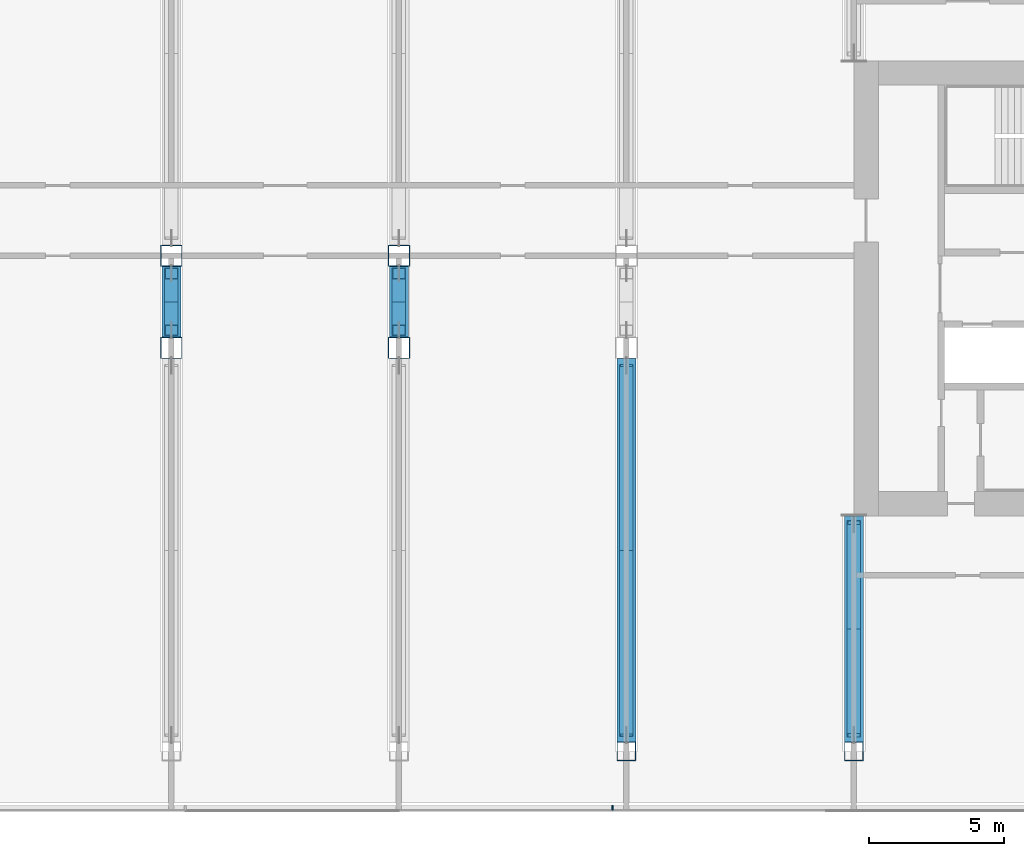
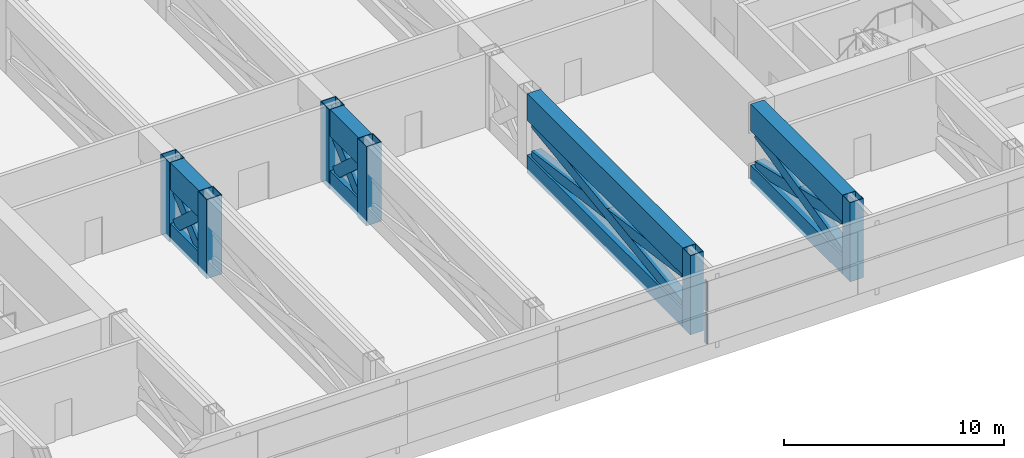
# One storey, part 6 of 33: 24 members, 1 element without a shape of its own.
"""IFC4 building model written with IfcOpenShell, lengths in metres."""

from ifc_helpers import new_model, si_unit, direction, frame, origin, origin_2d, place, context, subcontext, project, spatial, rectangle, hollow_rectangle, extrude, material, layer, layer_set, material_profile, profile_set, type_object, element, aggregate, save


model = new_model("IFC4")

# Units and contexts
model_context = context("Model", 3, precision=1e-05, world=origin(), true_north=direction((0.0, 1.0)))
body_context = subcontext(model_context, "Body", "Model", "MODEL_VIEW")
ifc_project = project(units=[si_unit("LENGTHUNIT", "METRE"), si_unit("AREAUNIT", "SQUARE_METRE"), si_unit("VOLUMEUNIT", "CUBIC_METRE"), si_unit("PLANEANGLEUNIT", "RADIAN"), si_unit("MASSUNIT", "GRAM", prefix="KILO")], contexts=[model_context])

# Site, building, storey
site_placement = place(None, origin())
site = spatial("IfcSite", under=ifc_project, at=site_placement, CompositionType="ELEMENT")
building_placement = place(site_placement, origin())
building = spatial("IfcBuilding", under=site, at=building_placement, Name="Hakoniwa Tower and Hamabe Station Hall", CompositionType="ELEMENT")
storey_placement = place(building_placement, frame((0.0, 0.0, 175.800048828125)))
storey = spatial("IfcBuildingStorey", under=building, at=storey_placement, Name="L50", CompositionType="ELEMENT", Elevation=175.800048828125)

# Curtain wall, members
ifc_material_1 = material(Name="Dark low-e laminated glass", Category="glass")
ifc_layer = layer(ifc_material_1, 0.199951171875)
ifc_layer_set = layer_set([ifc_layer], Name="CW-6 PLANT LOUVRE")
curtain_wall_type = type_object("IfcCurtainWallType", Name="CW-6 PLANT LOUVRE", PredefinedType="NOTDEFINED", material=ifc_layer_set)
curtain_wall_placement = place(storey_placement, origin())
curtain_wall = element("IfcCurtainWall", 1, at=curtain_wall_placement, inside=storey, type_object=curtain_wall_type, Name="CW-6 curtain wall", PredefinedType="NOTDEFINED")
ifc_material_2 = material(Name="Aluminium 6063-T5 black anodised", Category="aluminium")
ifc_material_profile_1 = material_profile(ifc_material_2, rectangle(XDim=0.06005859375, YDim=0.179931640625, at=origin_2d()), Name="CW-1 MULLION 60X180")
ifc_profile_set_1 = profile_set([ifc_material_profile_1], Name="Aluminium 6063-T5 black anodised")
member_type_1 = type_object("IfcMemberType", Name="CW-1 MULLION 60X180", PredefinedType="MULLION", material=ifc_profile_set_1)
member_1_placement = place(storey_placement, frame((7.887939453125, -19.181884765625, 0.349853515625), z_axis=(0.0, 0.0, 1.0), x_axis=(1.0, 0.0, 0.0)))
member_1 = element("IfcMember", 2, at=member_1_placement, type_object=member_type_1, Name="CW-6 mullion", PredefinedType="MULLION", context=body_context, shape_type="SweptSolid", body=[
    extrude(rectangle(XDim=0.06005859375, YDim=0.179931640625, at=origin_2d()), origin(), (0.0, 0.0, 1.0), 1.690185546875),
])
member_2_placement = place(storey_placement, frame((7.887939453125, -19.181884765625, 2.159912109375), z_axis=(0.0, 0.0, 1.0), x_axis=(1.0, 0.0, 0.0)))
member_2 = element("IfcMember", 3, at=member_2_placement, type_object=member_type_1, Name="CW-6 mullion", PredefinedType="MULLION", context=body_context, shape_type="SweptSolid", body=[
    extrude(rectangle(XDim=0.06005859375, YDim=0.179931640625, at=origin_2d()), origin(), (0.0, 0.0, 1.0), 1.68994140625),
])
aggregate(curtain_wall, [member_1, member_2])

# Members
ifc_material_3 = material(Name="Steel SN490C", Category="steel")
ifc_material_profile_2 = material_profile(ifc_material_3, hollow_rectangle(XDim=0.699951171875, YDim=1.0, WallThickness=0.0400390625, at=origin_2d()), Name="BX-1000x700x40")
ifc_profile_set_2 = profile_set([ifc_material_profile_2], Name="Steel SN490C")
member_type_2 = type_object("IfcMemberType", Name="TRUSS CHORD BX-1000x700x40", PredefinedType="CHORD", material=ifc_profile_set_2)
for number, where, z_axis, x_axis, name in (
    (4, (-8.39990234375, -1.800048828125, 0.199951171875), (0.0, 1.0, 0.0), (-1.0, 0.0, 0.0), "Truss T3-11-BC02"),
    (5, (0.0, -1.800048828125, 0.199951171875), (0.0, 1.0, 0.0), (-1.0, 0.0, 0.0), "Truss T3-12-BC02"),
):
    element("IfcMember", number, at=place(storey_placement, frame(where, z_axis=z_axis, x_axis=x_axis)), inside=storey, type_object=member_type_2, Name=name, PredefinedType="CHORD", context=body_context, shape_type="SweptSolid", body=[
        extrude(hollow_rectangle(XDim=0.699951171875, YDim=1.0, WallThickness=0.0400390625, at=origin_2d()), origin(), (0.0, 0.0, 1.0), 2.60009765625),
    ])
member_3_placement = place(storey_placement, frame((8.39990234375, -16.75, 0.199951171875), z_axis=(0.0, 1.0, 0.0), x_axis=(-1.0, 0.0, 0.0)))
element("IfcMember", 6, at=member_3_placement, inside=storey, type_object=member_type_2, Name="Truss T3-13-BC01", PredefinedType="CHORD", context=body_context, shape_type="SweptSolid", body=[
    extrude(hollow_rectangle(XDim=0.699951171875, YDim=1.0, WallThickness=0.0400390625, at=origin_2d()), origin(), (0.0, 0.0, 1.0), 14.14990234375),
])
member_4_placement = place(storey_placement, frame((16.800048828125, -16.75, 0.199951171875), z_axis=(0.0, 1.0, 0.0), x_axis=(-1.0, 0.0, 0.0)))
element("IfcMember", 7, at=member_4_placement, inside=storey, type_object=member_type_2, Name="Truss T3-14-BC01", PredefinedType="CHORD", context=body_context, shape_type="SweptSolid", body=[
    extrude(hollow_rectangle(XDim=0.699951171875, YDim=1.0, WallThickness=0.0400390625, at=origin_2d()), origin(), (0.0, 0.0, 1.0), 8.35009765625),
])
ifc_material_4 = material(Name="Steel SN490C", Category="steel")
ifc_material_profile_3 = material_profile(ifc_material_4, hollow_rectangle(XDim=0.699951171875, YDim=1.5, WallThickness=0.054931640625, at=origin_2d()), Name="BX-1500x700x55")
ifc_profile_set_3 = profile_set([ifc_material_profile_3], Name="Steel SN490C")
member_type_3 = type_object("IfcMemberType", Name="TRUSS CHORD BX-1500x700x55", PredefinedType="CHORD", material=ifc_profile_set_3)
for number, where, z_axis, x_axis, name in (
    (8, (-8.39990234375, -1.800048828125, 3.349853515625), (0.0, 1.0, 0.0), (-1.0, 0.0, 0.0), "Truss T3-11-TC02"),
    (9, (0.0, -1.800048828125, 3.349853515625), (0.0, 1.0, 0.0), (-1.0, 0.0, 0.0), "Truss T3-12-TC02"),
):
    element("IfcMember", number, at=place(storey_placement, frame(where, z_axis=z_axis, x_axis=x_axis)), inside=storey, type_object=member_type_3, Name=name, PredefinedType="CHORD", context=body_context, shape_type="SweptSolid", body=[
        extrude(hollow_rectangle(XDim=0.699951171875, YDim=1.5, WallThickness=0.054931640625, at=origin_2d()), origin(), (0.0, 0.0, 1.0), 2.60009765625),
    ])
member_5_placement = place(storey_placement, frame((8.39990234375, -16.75, 3.349853515625), z_axis=(0.0, 1.0, 0.0), x_axis=(-1.0, 0.0, 0.0)))
element("IfcMember", 10, at=member_5_placement, inside=storey, type_object=member_type_3, Name="Truss T3-13-TC01", PredefinedType="CHORD", context=body_context, shape_type="SweptSolid", body=[
    extrude(hollow_rectangle(XDim=0.699951171875, YDim=1.5, WallThickness=0.054931640625, at=origin_2d()), origin(), (0.0, 0.0, 1.0), 14.14990234375),
])
member_6_placement = place(storey_placement, frame((16.800048828125, -16.75, 3.349853515625), z_axis=(0.0, 1.0, 0.0), x_axis=(-1.0, 0.0, 0.0)))
element("IfcMember", 11, at=member_6_placement, inside=storey, type_object=member_type_3, Name="Truss T3-14-TC01", PredefinedType="CHORD", context=body_context, shape_type="SweptSolid", body=[
    extrude(hollow_rectangle(XDim=0.699951171875, YDim=1.5, WallThickness=0.054931640625, at=origin_2d()), origin(), (0.0, 0.0, 1.0), 8.35009765625),
])
ifc_material_5 = material(Name="Steel SN490C", Category="steel")
ifc_material_profile_4 = material_profile(ifc_material_5, hollow_rectangle(XDim=0.5, YDim=0.60009765625, WallThickness=0.028076171875, at=origin_2d()), Name="BX-600x500x28")
ifc_profile_set_4 = profile_set([ifc_material_profile_4], Name="Steel SN490C")
member_type_4 = type_object("IfcMemberType", Name="TRUSS DIAGONAL BX-600x500x28", PredefinedType="BRACE", material=ifc_profile_set_4)
for number, where, z_axis, x_axis, name in (
    (12, (-8.39990234375, -1.550048828125, 0.699951171875), (0.0, 0.74156845591, 0.670877205753), (-1.0, 0.0, 0.0), "Truss T3-11-D02a"),
    (13, (-8.39990234375, -1.550048828125, 2.599853515625), (0.0, 0.74156845591, -0.670877205753), (-1.0, 0.0, 0.0), "Truss T3-11-D02b"),
    (14, (0.0, -1.550048828125, 0.699951171875), (0.0, 0.74156845591, 0.670877205753), (-1.0, 0.0, 0.0), "Truss T3-12-D02a"),
    (15, (0.0, -1.550048828125, 2.599853515625), (0.0, 0.74156845591, -0.670877205753), (-1.0, 0.0, 0.0), "Truss T3-12-D02b"),
):
    element("IfcMember", number, at=place(storey_placement, frame(where, z_axis=z_axis, x_axis=x_axis)), inside=storey, type_object=member_type_4, Name=name, PredefinedType="BRACE", context=body_context, shape_type="SweptSolid", body=[
        extrude(hollow_rectangle(XDim=0.5, YDim=0.60009765625, WallThickness=0.028076171875, at=origin_2d()), origin(), (0.0, 0.0, 1.0), 2.83203125),
    ])
for number, where, z_axis, x_axis, name in (
    (16, (8.39990234375, -16.5, 0.699951171875), (0.0, 0.990451865298, 0.137858995095), (-1.0, 0.0, 0.0), "Truss T3-13-D01a"),
    (17, (8.39990234375, -16.5, 2.599853515625), (0.0, 0.990451865298, -0.137858995095), (-1.0, 0.0, 0.0), "Truss T3-13-D01b"),
):
    element("IfcMember", number, at=place(storey_placement, frame(where, z_axis=z_axis, x_axis=x_axis)), inside=storey, type_object=member_type_4, Name=name, PredefinedType="BRACE", context=body_context, shape_type="SweptSolid", body=[
        extrude(hollow_rectangle(XDim=0.5, YDim=0.60009765625, WallThickness=0.028076171875, at=origin_2d()), origin(), (0.0, 0.0, 1.0), 13.781494140625),
    ])
for number, where, z_axis, x_axis, name in (
    (18, (16.800048828125, -16.5, 0.699951171875), (0.0, 0.97193938167, 0.235231456993), (-1.0, 0.0, 0.0), "Truss T3-14-D01a"),
    (19, (16.800048828125, -16.5, 2.599853515625), (0.0, 0.97193938167, -0.235231456993), (-1.0, 0.0, 0.0), "Truss T3-14-D01b"),
):
    element("IfcMember", number, at=place(storey_placement, frame(where, z_axis=z_axis, x_axis=x_axis)), inside=storey, type_object=member_type_4, Name=name, PredefinedType="BRACE", context=body_context, shape_type="SweptSolid", body=[
        extrude(hollow_rectangle(XDim=0.5, YDim=0.60009765625, WallThickness=0.028076171875, at=origin_2d()), origin(), (0.0, 0.0, 1.0), 8.07666015625),
    ])
ifc_material_6 = material(Name="Steel SN490C", Category="steel")
ifc_material_profile_5 = material_profile(ifc_material_6, hollow_rectangle(XDim=0.699951171875, YDim=0.699951171875, WallThickness=0.028076171875, at=origin_2d()), Name="BX-700x700x28")
ifc_profile_set_5 = profile_set([ifc_material_profile_5], Name="Steel SN490C")
member_type_5 = type_object("IfcMemberType", Name="TRUSS POST BX-700x700x28", PredefinedType="POST", material=ifc_profile_set_5)
for number, where, z_axis, x_axis, name in (
    (20, (8.39990234375, -17.10009765625, -0.300048828125), (0.0, 0.0, 1.0), (1.0, 0.0, 0.0), "Truss T3-13-P01"),
    (21, (16.800048828125, -17.10009765625, -0.300048828125), (0.0, 0.0, 1.0), (1.0, 0.0, 0.0), "Truss T3-14-P01"),
):
    element("IfcMember", number, at=place(storey_placement, frame(where, z_axis=z_axis, x_axis=x_axis)), inside=storey, type_object=member_type_5, Name=name, PredefinedType="POST", context=body_context, shape_type="SweptSolid", body=[
        extrude(hollow_rectangle(XDim=0.699951171875, YDim=0.699951171875, WallThickness=0.028076171875, at=origin_2d()), origin(), (0.0, 0.0, 1.0), 4.39990234375),
    ])
ifc_material_7 = material(Name="Steel SN490C", Category="steel")
ifc_material_profile_6 = material_profile(ifc_material_7, hollow_rectangle(XDim=0.800048828125, YDim=0.800048828125, WallThickness=0.031982421875, at=origin_2d()), Name="BX-800x800x32")
ifc_profile_set_6 = profile_set([ifc_material_profile_6], Name="Steel SN490C")
member_type_6 = type_object("IfcMemberType", Name="TRUSS POST BX-800x800x32", PredefinedType="POST", material=ifc_profile_set_6)
for number, where, z_axis, x_axis, name in (
    (22, (-8.39990234375, -2.199951171875, -0.300048828125), (0.0, 0.0, 1.0), (1.0, 0.0, 0.0), "Truss T3-11-P02"),
    (23, (-8.39990234375, 1.199951171875, -0.300048828125), (0.0, 0.0, 1.0), (1.0, 0.0, 0.0), "Truss T3-11-P03"),
    (24, (0.0, -2.199951171875, -0.300048828125), (0.0, 0.0, 1.0), (1.0, 0.0, 0.0), "Truss T3-12-P02"),
    (25, (0.0, 1.199951171875, -0.300048828125), (0.0, 0.0, 1.0), (1.0, 0.0, 0.0), "Truss T3-12-P03"),
):
    element("IfcMember", number, at=place(storey_placement, frame(where, z_axis=z_axis, x_axis=x_axis)), inside=storey, type_object=member_type_6, Name=name, PredefinedType="POST", context=body_context, shape_type="SweptSolid", body=[
        extrude(hollow_rectangle(XDim=0.800048828125, YDim=0.800048828125, WallThickness=0.031982421875, at=origin_2d()), origin(), (0.0, 0.0, 1.0), 4.39990234375),
    ])

save(model, "model.ifc")
